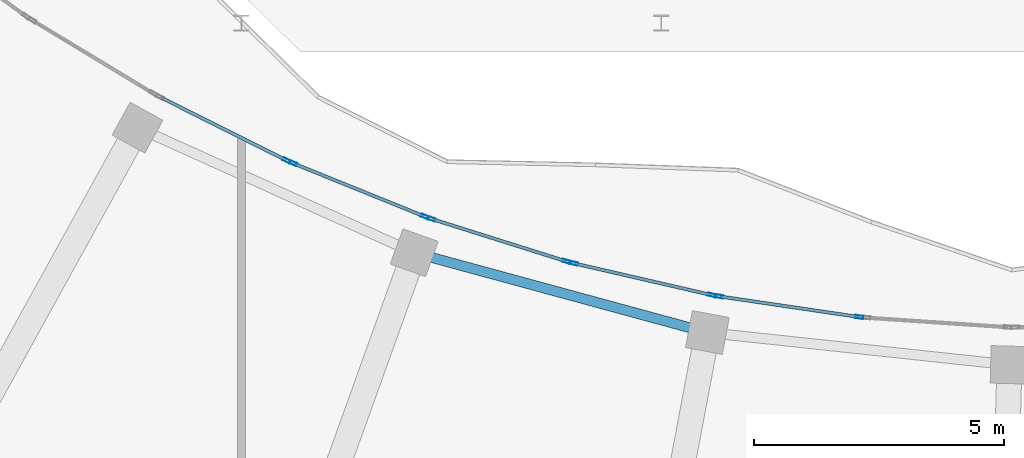
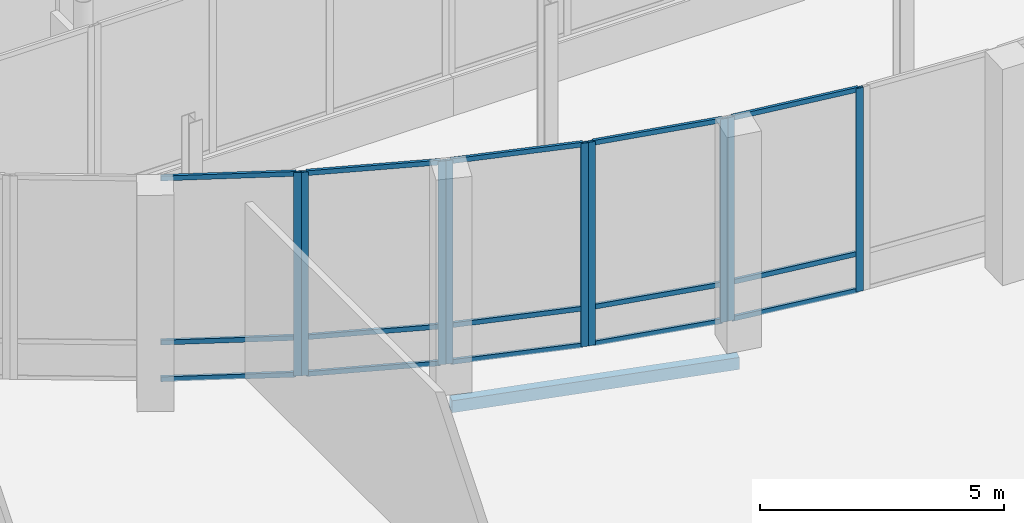
# One storey, part 34 of 158: 24 members, 1 beam, 5 elements without a shape of their own.
"""IFC4 building model written with IfcOpenShell, lengths in metres."""

from ifc_helpers import new_model, si_unit, direction, frame, origin, origin_2d, place, context, subcontext, project, spatial, hollow_rectangle, extrude, material, material_profile, profile_set, type_object, element, aggregate, save


model = new_model("IFC4")

# Units and contexts
model_context = context("Model", 3, precision=1e-05, world=origin(), true_north=direction((0.0, 1.0)))
body_context = subcontext(model_context, "Body", "Model", "MODEL_VIEW")
ifc_project = project(units=[si_unit("LENGTHUNIT", "METRE"), si_unit("AREAUNIT", "SQUARE_METRE"), si_unit("VOLUMEUNIT", "CUBIC_METRE"), si_unit("PLANEANGLEUNIT", "RADIAN"), si_unit("MASSUNIT", "GRAM", prefix="KILO")], contexts=[model_context])

# Site, building, storey
site_placement = place(None, origin())
site = spatial("IfcSite", under=ifc_project, at=site_placement, CompositionType="ELEMENT")
building_placement = place(site_placement, origin())
building = spatial("IfcBuilding", under=site, at=building_placement, Name="Selatvlak General Hospital", CompositionType="ELEMENT")
storey_placement = place(building_placement, origin())
storey = spatial("IfcBuildingStorey", under=building, at=storey_placement, Name="L00", CompositionType="ELEMENT", Elevation=0.0)

# Beam
ifc_material_1 = material(Name="Steel S355", Category="steel")
ifc_material_profile_1 = material_profile(ifc_material_1, hollow_rectangle(XDim=0.199951171875, YDim=0.300048828125, WallThickness=0.011962890625, at=origin_2d()), Name="RHS 300x200x12")
ifc_profile_set_1 = profile_set([ifc_material_profile_1], Name="Steel S355")
beam_type = type_object("IfcBeamType", Name="BM-SP3", PredefinedType="SPANDREL", material=ifc_profile_set_1)
beam_placement = place(storey_placement, frame((43.05908203125, 43.506103515625, -0.5), z_axis=(0.9649036472, -0.262604172892, 0.0), x_axis=(0.262604172892, 0.9649036472, 0.0)))
element("IfcBeam", 1, at=beam_placement, inside=storey, type_object=beam_type, Name="Beam BMR-L00-0355", PredefinedType="SPANDREL", context=body_context, shape_type="SweptSolid", body=[
    extrude(hollow_rectangle(XDim=0.199951171875, YDim=0.300048828125, WallThickness=0.011962890625, at=origin_2d()), origin(), (0.0, 0.0, 1.0), 6.078369140625),
])

# Curtain wall, member
ifc_material_2 = material(Name="Solar-control Low-E double glazing", Category="glass")
curtain_wall_type_1 = type_object("IfcCurtainWallType", Name="CW-CW-01", PredefinedType="USERDEFINED", material=ifc_material_2)
curtain_wall_1_placement = place(storey_placement, origin())
curtain_wall_1 = element("IfcCurtainWall", 2, at=curtain_wall_1_placement, inside=storey, type_object=curtain_wall_type_1, Name="Glazed facade curtain wall CW-L00-0071", ObjectType="UNITISED CURTAIN WALL", PredefinedType="USERDEFINED")
ifc_material_3 = material(Name="Dark anodised aluminium mullion", Category="aluminium")
ifc_material_profile_2 = material_profile(ifc_material_3, hollow_rectangle(XDim=0.06494140625, YDim=0.159912109375, WallThickness=0.00390625, at=origin_2d()), Name="AL-MUL 65x160x4")
ifc_profile_set_2 = profile_set([ifc_material_profile_2], Name="Dark anodised aluminium mullion")
member_type_1 = type_object("IfcMemberType", Name="CWM-01", PredefinedType="MULLION", material=ifc_profile_set_2)
member_1_placement = place(storey_placement, frame((40.5048828125, 45.353515625, 0.0), z_axis=(0.0, 0.0, 1.0), x_axis=(0.447627060006, 0.894220339262, 0.0)))
member_1 = element("IfcMember", 3, at=member_1_placement, type_object=member_type_1, Name="CW-01 mullion 2", PredefinedType="MULLION", context=body_context, shape_type="SweptSolid", body=[
    extrude(hollow_rectangle(XDim=0.06494140625, YDim=0.159912109375, WallThickness=0.00390625, at=origin_2d()), origin(), (0.0, 0.0, 1.0), 5.080078125),
])

# Curtain wall, members
curtain_wall_type_2 = type_object("IfcCurtainWallType", Name="CW-CW-02", PredefinedType="USERDEFINED", material=ifc_material_2)
curtain_wall_2_placement = place(storey_placement, origin())
curtain_wall_2 = element("IfcCurtainWall", 4, at=curtain_wall_2_placement, inside=storey, type_object=curtain_wall_type_2, Name="Glazed facade curtain wall CW-L00-0072", ObjectType="UNITISED CURTAIN WALL", PredefinedType="USERDEFINED")
member_2_placement = place(storey_placement, frame((40.63720703125, 45.294921875, 0.0), z_axis=(0.0, 0.0, 1.0), x_axis=(0.374953034584, 0.927043807949, 0.0)))
member_2 = element("IfcMember", 5, at=member_2_placement, type_object=member_type_1, Name="CW-02 mullion 1", PredefinedType="MULLION", context=body_context, shape_type="SweptSolid", body=[
    extrude(hollow_rectangle(XDim=0.06494140625, YDim=0.159912109375, WallThickness=0.00390625, at=origin_2d()), origin(), (0.0, 0.0, 1.0), 5.080078125),
])
member_3_placement = place(storey_placement, frame((43.266845703125, 44.231201171875, 0.0), z_axis=(0.0, 0.0, 1.0), x_axis=(0.374953034584, 0.927043807949, 0.0)))
member_3 = element("IfcMember", 6, at=member_3_placement, type_object=member_type_1, Name="CW-02 mullion 2", PredefinedType="MULLION", context=body_context, shape_type="SweptSolid", body=[
    extrude(hollow_rectangle(XDim=0.06494140625, YDim=0.159912109375, WallThickness=0.00390625, at=origin_2d()), origin(), (0.0, 0.0, 1.0), 5.080078125),
])

curtain_wall_3_placement = place(storey_placement, origin())
curtain_wall_3 = element("IfcCurtainWall", 7, at=curtain_wall_3_placement, inside=storey, type_object=curtain_wall_type_1, Name="Glazed facade curtain wall CW-L00-0073", ObjectType="UNITISED CURTAIN WALL", PredefinedType="USERDEFINED")
member_4_placement = place(storey_placement, frame((43.404052734375, 44.183349609375, 0.0), z_axis=(0.0, 0.0, 1.0), x_axis=(0.300372930504, 0.953821840084, 0.0)))
member_4 = element("IfcMember", 8, at=member_4_placement, type_object=member_type_1, Name="CW-01 mullion 1", PredefinedType="MULLION", context=body_context, shape_type="SweptSolid", body=[
    extrude(hollow_rectangle(XDim=0.06494140625, YDim=0.159912109375, WallThickness=0.00390625, at=origin_2d()), origin(), (0.0, 0.0, 1.0), 5.080078125),
])
member_5_placement = place(storey_placement, frame((46.111083984375, 43.330810546875, 0.0), z_axis=(0.0, 0.0, 1.0), x_axis=(0.300372930504, 0.953821840084, 0.0)))
member_5 = element("IfcMember", 9, at=member_5_placement, type_object=member_type_1, Name="CW-01 mullion 2", PredefinedType="MULLION", context=body_context, shape_type="SweptSolid", body=[
    extrude(hollow_rectangle(XDim=0.06494140625, YDim=0.159912109375, WallThickness=0.00390625, at=origin_2d()), origin(), (0.0, 0.0, 1.0), 5.080078125),
])

curtain_wall_4_placement = place(storey_placement, origin())
curtain_wall_4 = element("IfcCurtainWall", 10, at=curtain_wall_4_placement, inside=storey, type_object=curtain_wall_type_2, Name="Glazed facade curtain wall CW-L00-0074", ObjectType="UNITISED CURTAIN WALL", PredefinedType="USERDEFINED")
member_6_placement = place(storey_placement, frame((46.251708984375, 43.294677734375, 0.0), z_axis=(0.0, 0.0, 1.0), x_axis=(0.224481730976, 0.974478297582, 0.0)))
member_6 = element("IfcMember", 11, at=member_6_placement, type_object=member_type_1, Name="CW-02 mullion 1", PredefinedType="MULLION", context=body_context, shape_type="SweptSolid", body=[
    extrude(hollow_rectangle(XDim=0.06494140625, YDim=0.159912109375, WallThickness=0.00390625, at=origin_2d()), origin(), (0.0, 0.0, 1.0), 5.080078125),
])
member_7_placement = place(storey_placement, frame((49.014404296875, 42.658203125, 0.0), z_axis=(0.0, 0.0, 1.0), x_axis=(0.224481730976, 0.974478297582, 0.0)))
member_7 = element("IfcMember", 12, at=member_7_placement, type_object=member_type_1, Name="CW-02 mullion 2", PredefinedType="MULLION", context=body_context, shape_type="SweptSolid", body=[
    extrude(hollow_rectangle(XDim=0.06494140625, YDim=0.159912109375, WallThickness=0.00390625, at=origin_2d()), origin(), (0.0, 0.0, 1.0), 5.080078125),
])

curtain_wall_5_placement = place(storey_placement, origin())
curtain_wall_5 = element("IfcCurtainWall", 13, at=curtain_wall_5_placement, inside=storey, type_object=curtain_wall_type_1, Name="Glazed facade curtain wall CW-L00-0075", ObjectType="UNITISED CURTAIN WALL", PredefinedType="USERDEFINED")
member_8_placement = place(storey_placement, frame((49.1572265625, 42.63427734375, 0.0), z_axis=(0.0, 0.0, 1.0), x_axis=(0.146148900327, 0.989262603626, 0.0)))
member_8 = element("IfcMember", 14, at=member_8_placement, type_object=member_type_1, Name="CW-01 mullion 1", PredefinedType="MULLION", context=body_context, shape_type="SweptSolid", body=[
    extrude(hollow_rectangle(XDim=0.06494140625, YDim=0.159912109375, WallThickness=0.00390625, at=origin_2d()), origin(), (0.0, 0.0, 1.0), 5.080078125),
])
member_9_placement = place(storey_placement, frame((51.962890625, 42.2197265625, 0.0), z_axis=(0.0, 0.0, 1.0), x_axis=(0.146148900327, 0.989262603626, 0.0)))
member_9 = element("IfcMember", 15, at=member_9_placement, type_object=member_type_1, Name="CW-01 mullion 2", PredefinedType="MULLION", context=body_context, shape_type="SweptSolid", body=[
    extrude(hollow_rectangle(XDim=0.06494140625, YDim=0.159912109375, WallThickness=0.00390625, at=origin_2d()), origin(), (0.0, 0.0, 1.0), 5.080078125),
])

# Member
ifc_material_profile_3 = material_profile(ifc_material_3, hollow_rectangle(XDim=0.06494140625, YDim=0.1201171875, WallThickness=0.00390625, at=origin_2d()), Name="AL-TRN 65x120x4")
ifc_profile_set_3 = profile_set([ifc_material_profile_3], Name="Dark anodised aluminium mullion")
member_type_2 = type_object("IfcMemberType", Name="CWT-01", PredefinedType="USERDEFINED", material=ifc_profile_set_3)
member_10_placement = place(storey_placement, frame((37.9970703125, 46.60888671875, 0.032470703125), z_axis=(0.894233340341, -0.447601086931, 0.0), x_axis=(0.447601086931, 0.894233340341, 0.0)))
member_10 = element("IfcMember", 16, at=member_10_placement, type_object=member_type_2, Name="CW-01 transom 1.1", ObjectType="TRANSOM", PredefinedType="USERDEFINED", context=body_context, shape_type="SweptSolid", body=[
    extrude(hollow_rectangle(XDim=0.06494140625, YDim=0.1201171875, WallThickness=0.00390625, at=origin_2d()), origin(), (0.0, 0.0, 1.0), 2.77197265625),
])

member_11_placement = place(storey_placement, frame((37.9970703125, 46.60888671875, 0.949951171875), z_axis=(0.894233340341, -0.447601086931, 0.0), x_axis=(0.447601086931, 0.894233340341, 0.0)))
member_11 = element("IfcMember", 17, at=member_11_placement, type_object=member_type_2, Name="CW-01 transom 1.2", ObjectType="TRANSOM", PredefinedType="USERDEFINED", context=body_context, shape_type="SweptSolid", body=[
    extrude(hollow_rectangle(XDim=0.06494140625, YDim=0.1201171875, WallThickness=0.00390625, at=origin_2d()), origin(), (0.0, 0.0, 1.0), 2.77197265625),
])

member_12_placement = place(storey_placement, frame((37.9970703125, 46.60888671875, 5.047607421875), z_axis=(0.894233340341, -0.447601086931, 0.0), x_axis=(0.447601086931, 0.894233340341, 0.0)))
member_12 = element("IfcMember", 18, at=member_12_placement, type_object=member_type_2, Name="CW-01 transom 1.3", ObjectType="TRANSOM", PredefinedType="USERDEFINED", context=body_context, shape_type="SweptSolid", body=[
    extrude(hollow_rectangle(XDim=0.06494140625, YDim=0.1201171875, WallThickness=0.00390625, at=origin_2d()), origin(), (0.0, 0.0, 1.0), 2.77197265625),
])

aggregate(curtain_wall_1, [member_1, member_10, member_11, member_12])

member_13_placement = place(storey_placement, frame((40.667236328125, 45.28271484375, 0.032470703125), z_axis=(0.927042328335, -0.3749566928, 0.0), x_axis=(0.3749566928, 0.927042328335, 0.0)))
member_13 = element("IfcMember", 19, at=member_13_placement, type_object=member_type_2, Name="CW-02 transom 1.1", ObjectType="TRANSOM", PredefinedType="USERDEFINED", context=body_context, shape_type="SweptSolid", body=[
    extrude(hollow_rectangle(XDim=0.06494140625, YDim=0.1201171875, WallThickness=0.00390625, at=origin_2d()), origin(), (0.0, 0.0, 1.0), 2.771728515625),
])

member_14_placement = place(storey_placement, frame((40.667236328125, 45.28271484375, 0.949951171875), z_axis=(0.927042328335, -0.3749566928, 0.0), x_axis=(0.3749566928, 0.927042328335, 0.0)))
member_14 = element("IfcMember", 20, at=member_14_placement, type_object=member_type_2, Name="CW-02 transom 1.2", ObjectType="TRANSOM", PredefinedType="USERDEFINED", context=body_context, shape_type="SweptSolid", body=[
    extrude(hollow_rectangle(XDim=0.06494140625, YDim=0.1201171875, WallThickness=0.00390625, at=origin_2d()), origin(), (0.0, 0.0, 1.0), 2.771728515625),
])

member_15_placement = place(storey_placement, frame((40.667236328125, 45.28271484375, 5.047607421875), z_axis=(0.927042328335, -0.3749566928, 0.0), x_axis=(0.3749566928, 0.927042328335, 0.0)))
member_15 = element("IfcMember", 21, at=member_15_placement, type_object=member_type_2, Name="CW-02 transom 1.3", ObjectType="TRANSOM", PredefinedType="USERDEFINED", context=body_context, shape_type="SweptSolid", body=[
    extrude(hollow_rectangle(XDim=0.06494140625, YDim=0.1201171875, WallThickness=0.00390625, at=origin_2d()), origin(), (0.0, 0.0, 1.0), 2.771728515625),
])

aggregate(curtain_wall_2, [member_2, member_3, member_13, member_14, member_15])

member_16_placement = place(storey_placement, frame((43.43505859375, 44.173583984375, 0.032470703125), z_axis=(0.953816556591, -0.300389707503, 0.0), x_axis=(0.300389707503, 0.953816556591, 0.0)))
member_16 = element("IfcMember", 22, at=member_16_placement, type_object=member_type_2, Name="CW-01 transom 1.1", ObjectType="TRANSOM", PredefinedType="USERDEFINED", context=body_context, shape_type="SweptSolid", body=[
    extrude(hollow_rectangle(XDim=0.06494140625, YDim=0.1201171875, WallThickness=0.00390625, at=origin_2d()), origin(), (0.0, 0.0, 1.0), 2.773193359375),
])

member_17_placement = place(storey_placement, frame((43.43505859375, 44.173583984375, 0.949951171875), z_axis=(0.953816556591, -0.300389707503, 0.0), x_axis=(0.300389707503, 0.953816556591, 0.0)))
member_17 = element("IfcMember", 23, at=member_17_placement, type_object=member_type_2, Name="CW-01 transom 1.2", ObjectType="TRANSOM", PredefinedType="USERDEFINED", context=body_context, shape_type="SweptSolid", body=[
    extrude(hollow_rectangle(XDim=0.06494140625, YDim=0.1201171875, WallThickness=0.00390625, at=origin_2d()), origin(), (0.0, 0.0, 1.0), 2.773193359375),
])

member_18_placement = place(storey_placement, frame((43.43505859375, 44.173583984375, 5.047607421875), z_axis=(0.953816556591, -0.300389707503, 0.0), x_axis=(0.300389707503, 0.953816556591, 0.0)))
member_18 = element("IfcMember", 24, at=member_18_placement, type_object=member_type_2, Name="CW-01 transom 1.3", ObjectType="TRANSOM", PredefinedType="USERDEFINED", context=body_context, shape_type="SweptSolid", body=[
    extrude(hollow_rectangle(XDim=0.06494140625, YDim=0.1201171875, WallThickness=0.00390625, at=origin_2d()), origin(), (0.0, 0.0, 1.0), 2.773193359375),
])

aggregate(curtain_wall_3, [member_4, member_5, member_16, member_17, member_18])

member_19_placement = place(storey_placement, frame((46.283447265625, 43.287353515625, 0.032470703125), z_axis=(0.974475800427, -0.224492570883, 0.0), x_axis=(0.224492570883, 0.974475800427, 0.0)))
member_19 = element("IfcMember", 25, at=member_19_placement, type_object=member_type_2, Name="CW-02 transom 1.1", ObjectType="TRANSOM", PredefinedType="USERDEFINED", context=body_context, shape_type="SweptSolid", body=[
    extrude(hollow_rectangle(XDim=0.06494140625, YDim=0.1201171875, WallThickness=0.00390625, at=origin_2d()), origin(), (0.0, 0.0, 1.0), 2.77001953125),
])

member_20_placement = place(storey_placement, frame((46.283447265625, 43.287353515625, 0.949951171875), z_axis=(0.974475800427, -0.224492570883, 0.0), x_axis=(0.224492570883, 0.974475800427, 0.0)))
member_20 = element("IfcMember", 26, at=member_20_placement, type_object=member_type_2, Name="CW-02 transom 1.2", ObjectType="TRANSOM", PredefinedType="USERDEFINED", context=body_context, shape_type="SweptSolid", body=[
    extrude(hollow_rectangle(XDim=0.06494140625, YDim=0.1201171875, WallThickness=0.00390625, at=origin_2d()), origin(), (0.0, 0.0, 1.0), 2.77001953125),
])

member_21_placement = place(storey_placement, frame((46.283447265625, 43.287353515625, 5.047607421875), z_axis=(0.974475800427, -0.224492570883, 0.0), x_axis=(0.224492570883, 0.974475800427, 0.0)))
member_21 = element("IfcMember", 27, at=member_21_placement, type_object=member_type_2, Name="CW-02 transom 1.3", ObjectType="TRANSOM", PredefinedType="USERDEFINED", context=body_context, shape_type="SweptSolid", body=[
    extrude(hollow_rectangle(XDim=0.06494140625, YDim=0.1201171875, WallThickness=0.00390625, at=origin_2d()), origin(), (0.0, 0.0, 1.0), 2.77001953125),
])

aggregate(curtain_wall_4, [member_6, member_7, member_19, member_20, member_21])

member_22_placement = place(storey_placement, frame((49.189208984375, 42.62939453125, 0.032470703125), z_axis=(0.989274299391, -0.146069711318, 0.0), x_axis=(0.146069711318, 0.989274299391, 0.0)))
member_22 = element("IfcMember", 28, at=member_22_placement, type_object=member_type_2, Name="CW-01 transom 1.1", ObjectType="TRANSOM", PredefinedType="USERDEFINED", context=body_context, shape_type="SweptSolid", body=[
    extrude(hollow_rectangle(XDim=0.06494140625, YDim=0.1201171875, WallThickness=0.00390625, at=origin_2d()), origin(), (0.0, 0.0, 1.0), 2.771240234375),
])

member_23_placement = place(storey_placement, frame((49.189208984375, 42.62939453125, 0.949951171875), z_axis=(0.989274299391, -0.146069711318, 0.0), x_axis=(0.146069711318, 0.989274299391, 0.0)))
member_23 = element("IfcMember", 29, at=member_23_placement, type_object=member_type_2, Name="CW-01 transom 1.2", ObjectType="TRANSOM", PredefinedType="USERDEFINED", context=body_context, shape_type="SweptSolid", body=[
    extrude(hollow_rectangle(XDim=0.06494140625, YDim=0.1201171875, WallThickness=0.00390625, at=origin_2d()), origin(), (0.0, 0.0, 1.0), 2.771240234375),
])

member_24_placement = place(storey_placement, frame((49.189208984375, 42.62939453125, 5.047607421875), z_axis=(0.989274299391, -0.146069711318, 0.0), x_axis=(0.146069711318, 0.989274299391, 0.0)))
member_24 = element("IfcMember", 30, at=member_24_placement, type_object=member_type_2, Name="CW-01 transom 1.3", ObjectType="TRANSOM", PredefinedType="USERDEFINED", context=body_context, shape_type="SweptSolid", body=[
    extrude(hollow_rectangle(XDim=0.06494140625, YDim=0.1201171875, WallThickness=0.00390625, at=origin_2d()), origin(), (0.0, 0.0, 1.0), 2.771240234375),
])

aggregate(curtain_wall_5, [member_8, member_9, member_22, member_23, member_24])

save(model, "model.ifc")
